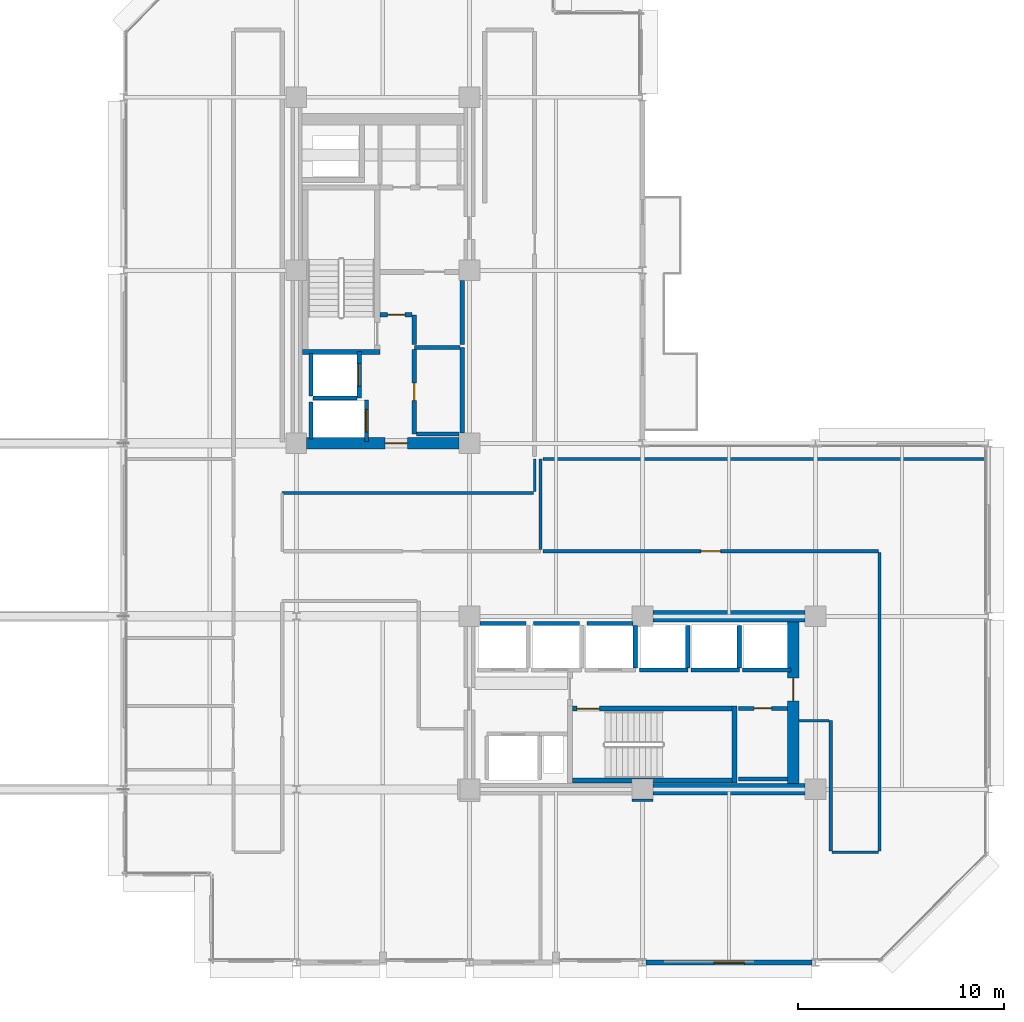
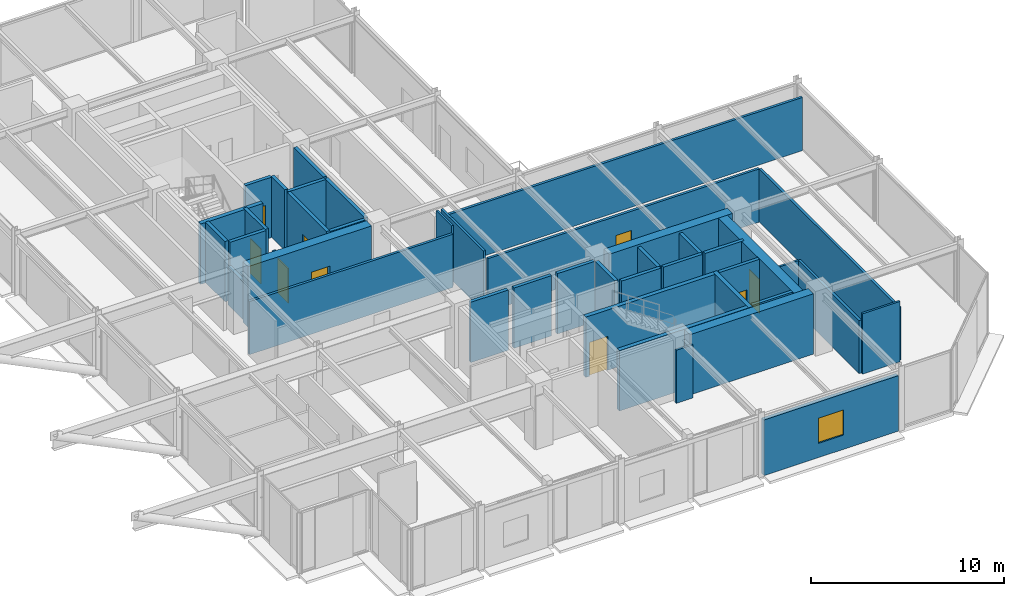
# One storey, part 26 of 30: 42 walls, 9 doors, 1 window, 10 openings.
"""IFC4 building model written with IfcOpenShell, lengths in metres."""

from ifc_helpers import new_model, si_unit, direction, frame, frame_2d, origin, place, context, subcontext, project, spatial, rectangle, extrude, material, layer, layer_set, type_object, element, fill, save


model = new_model("IFC4")

# Units and contexts
model_context = context("Model", 3, precision=1e-05, world=origin(), true_north=direction((0.0, 1.0)))
body_context = subcontext(model_context, "Body", "Model", "MODEL_VIEW")
ifc_project = project(units=[si_unit("LENGTHUNIT", "METRE"), si_unit("AREAUNIT", "SQUARE_METRE"), si_unit("VOLUMEUNIT", "CUBIC_METRE"), si_unit("PLANEANGLEUNIT", "RADIAN"), si_unit("MASSUNIT", "GRAM", prefix="KILO")], contexts=[model_context])

# Site, building, storey
site_placement = place(None, origin())
site = spatial("IfcSite", under=ifc_project, at=site_placement, CompositionType="ELEMENT")
building_placement = place(site_placement, origin())
building = spatial("IfcBuilding", under=site, at=building_placement, Name="Nerrivon Quay Data Exchange", CompositionType="ELEMENT")
storey_placement = place(building_placement, frame((0.0, 0.0, 167.300048828125)))
storey = spatial("IfcBuildingStorey", under=building, at=storey_placement, Name="L39", CompositionType="ELEMENT", Elevation=167.300048828125)

# Wall, opening, window
ifc_material_1 = material(Name="Architectural terracotta precast concrete N50 (50 MPa)", Category="masonry")
ifc_layer_1 = layer(ifc_material_1, 0.239990234375)
ifc_layer_set_1 = layer_set([ifc_layer_1], Name="Architectural terracotta precast concrete N50 (50 MPa)")
wall_type_1 = type_object("IfcWallType", Name="EW-PREC-240", PredefinedType="STANDARD", material=ifc_layer_set_1)
wall_1_placement = place(storey_placement, frame((33.425048828125, 0.0, 0.0), z_axis=(0.0, 0.0, 1.0), x_axis=(-1.0, 0.0, 0.0)))
wall_1 = element("IfcWall", 1, at=wall_1_placement, inside=storey, type_object=wall_type_1, Name="L39 Podium Precast Spandrel Wall 3", PredefinedType="STANDARD", context=body_context, shape_type="SweptSolid", body=[
    extrude(rectangle(XDim=8.050048828125, YDim=0.239990234375, at=frame_2d((4.02490234375, 0.0))), origin(), (0.0, 0.0, 1.0), 3.52490234375),
])
opening_1_placement = place(wall_1_placement, frame((3.27490234375, 0.0, 0.89990234375)))
opening_1 = element("IfcOpeningElement", 2, at=opening_1_placement, cuts=wall_1, Name="Opening WN4", PredefinedType="OPENING", context=body_context, shape_type="SweptSolid", body=[
    extrude(rectangle(XDim=1.5, YDim=1.60009765625, at=frame_2d((0.75, 0.800048828125))), frame((0.0, 0.1298828125, 0.0), z_axis=(0.0, -1.0, 0.0), x_axis=(1.0, 0.0, 0.0)), (0.0, 0.0, 1.0), 0.260009765625),
])
ifc_material_2 = material(Name="Double-glazed low-E solar control glass", Category="glass")
window_type = type_object("IfcWindowType", Name="WIN-W4-1500x1600", PartitioningType="SINGLE_PANEL", PredefinedType="WINDOW", material=ifc_material_2)
window_placement = place(opening_1_placement, origin())
window = element("IfcWindow", 3, at=window_placement, inside=storey, type_object=window_type, Name="L39 Solar Facade Window 3", OverallHeight=1.60009765625, OverallWidth=1.5, PartitioningType="SINGLE_PANEL", PredefinedType="WINDOW", context=body_context, shape_type="SweptSolid", body=[
    extrude(rectangle(XDim=1.5, YDim=1.60009765625, at=frame_2d((0.75, 0.800048828125))), frame((0.0, 0.030029296875, 0.0), z_axis=(0.0, -1.0, 0.0), x_axis=(1.0, 0.0, 0.0)), (0.0, 0.0, 1.0), 0.06005859375),
])
fill(opening_1, window)

# Wall, opening, door
ifc_material_3 = material(Name="Concrete S65 (65 MPa)", Category="concrete")
ifc_layer_2 = layer(ifc_material_3, 0.550048828125)
ifc_layer_set_2 = layer_set([ifc_layer_2], Name="Concrete S65 (65 MPa)")
wall_type_2 = type_object("IfcWallType", Name="WALL-CW-700", PredefinedType="SHEAR", material=ifc_layer_set_2)
wall_2_placement = place(storey_placement, frame((8.89990234375, 25.199951171875, 0.0), z_axis=(0.0, 0.0, 1.0), x_axis=(1.0, 0.0, 0.0)))
wall_2 = element("IfcWall", 4, at=wall_2_placement, inside=storey, type_object=wall_type_2, Name="L39 West Split-Core Shear Wall WCW-S1", PredefinedType="SHEAR", context=body_context, shape_type="SweptSolid", body=[
    extrude(rectangle(XDim=7.400146484375, YDim=0.550048828125, at=frame_2d((3.7001953125, 0.0))), origin(), (0.0, 0.0, 1.0), 3.824951171875),
])
opening_2_placement = place(wall_2_placement, frame((3.800048828125, 0.0, 0.0)))
opening_2 = element("IfcOpeningElement", 5, at=opening_2_placement, cuts=wall_2, Name="Opening FD-120", PredefinedType="OPENING", context=body_context, shape_type="SweptSolid", body=[
    extrude(rectangle(XDim=1.10009765625, YDim=2.14990234375, at=frame_2d((0.550048828125, 1.074951171875))), frame((0.0, 0.284912109375, 0.0), z_axis=(0.0, -1.0, 0.0), x_axis=(1.0, 0.0, 0.0)), (0.0, 0.0, 1.0), 0.570068359375),
])
ifc_material_4 = material(Name="Powder-coated galvanized steel sheet", Category="steel")
door_type_1 = type_object("IfcDoorType", Name="DR-FD120-1100", OperationType="NOTDEFINED", PredefinedType="DOOR", material=ifc_material_4)
door_1_placement = place(opening_2_placement, origin())
door_1 = element("IfcDoor", 6, at=door_1_placement, inside=storey, type_object=door_type_1, Name="L39 West Core Lobby Fire Door", OperationType="SINGLE_SWING_LEFT", OverallHeight=2.14990234375, OverallWidth=1.10009765625, PredefinedType="DOOR", context=body_context, shape_type="SweptSolid", body=[
    extrude(rectangle(XDim=1.10009765625, YDim=2.14990234375, at=frame_2d((0.550048828125, 1.074951171875))), frame((0.0, 0.02490234375, 0.0), z_axis=(0.0, -1.0, 0.0), x_axis=(1.0, 0.0, 0.0)), (0.0, 0.0, 1.0), 0.050048828125),
])
fill(opening_2, door_1)

# Wall
wall_3_placement = place(storey_placement, frame((25.699951171875, 8.39990234375, 0.0), z_axis=(0.0, 0.0, 1.0), x_axis=(1.0, 0.0, 0.0)))
element("IfcWall", 7, at=wall_3_placement, inside=storey, type_object=wall_type_2, Name="L39 East Split-Core Shear Wall ECW-S2", PredefinedType="SHEAR", context=body_context, shape_type="SweptSolid", body=[
    extrude(rectangle(XDim=7.400146484375, YDim=0.550048828125, at=frame_2d((3.7001953125, 0.0))), origin(), (0.0, 0.0, 1.0), 3.824951171875),
])

# Wall, opening, door
wall_4_placement = place(storey_placement, frame((32.52490234375, 8.675048828125, 0.0), z_axis=(0.0, 0.0, 1.0), x_axis=(0.0, 1.0, 0.0)))
wall_4 = element("IfcWall", 8, at=wall_4_placement, inside=storey, type_object=wall_type_2, Name="L39 East Split-Core Shear Wall ECW-E1", PredefinedType="SHEAR", context=body_context, shape_type="SweptSolid", body=[
    extrude(rectangle(XDim=7.849853515625, YDim=0.550048828125, at=frame_2d((3.9248046875, 0.0))), origin(), (0.0, 0.0, 1.0), 3.824951171875),
])
opening_3_placement = place(wall_4_placement, frame((4.02490234375, 0.0, 0.0)))
opening_3 = element("IfcOpeningElement", 9, at=opening_3_placement, cuts=wall_4, Name="Opening FD-120", PredefinedType="OPENING", context=body_context, shape_type="SweptSolid", body=[
    extrude(rectangle(XDim=1.10009765625, YDim=2.14990234375, at=frame_2d((0.550048828125, 1.074951171875))), frame((0.0, 0.284912109375, 0.0), z_axis=(0.0, -1.0, 0.0), x_axis=(1.0, 0.0, 0.0)), (0.0, 0.0, 1.0), 0.570068359375),
])
door_2_placement = place(opening_3_placement, origin())
door_2 = element("IfcDoor", 10, at=door_2_placement, inside=storey, type_object=door_type_1, Name="L39 East Core Lobby Fire Door", OperationType="SINGLE_SWING_RIGHT", OverallHeight=2.14990234375, OverallWidth=1.10009765625, PredefinedType="DOOR", context=body_context, shape_type="SweptSolid", body=[
    extrude(rectangle(XDim=1.10009765625, YDim=2.14990234375, at=frame_2d((0.550048828125, 1.074951171875))), frame((0.0, 0.02490234375, 0.0), z_axis=(0.0, -1.0, 0.0), x_axis=(1.0, 0.0, 0.0)), (0.0, 0.0, 1.0), 0.050048828125),
])
fill(opening_3, door_2)

# Wall
wall_5_placement = place(storey_placement, frame((25.699951171875, 16.800048828125, 0.0), z_axis=(0.0, 0.0, 1.0), x_axis=(1.0, 0.0, 0.0)))
element("IfcWall", 11, at=wall_5_placement, inside=storey, type_object=wall_type_2, Name="L39 East Split-Core Shear Wall ECW-N1", PredefinedType="SHEAR", context=body_context, shape_type="SweptSolid", body=[
    extrude(rectangle(XDim=7.400146484375, YDim=0.550048828125, at=frame_2d((3.7001953125, 0.0))), origin(), (0.0, 0.0, 1.0), 3.824951171875),
])

# Wall, opening, door
ifc_material_5 = material(Name="Gypsum plasterboard on cold-formed framing", Category="gypsum")
ifc_layer_3 = layer(ifc_material_5, 0.199951171875)
ifc_layer_set_3 = layer_set([ifc_layer_3], Name="Gypsum plasterboard on cold-formed framing")
wall_type_3 = type_object("IfcWallType", Name="WALL-FW-200", PredefinedType="PARTITIONING", material=ifc_layer_set_3)
wall_6_placement = place(storey_placement, frame((11.449951171875, 27.39990234375, 0.0), z_axis=(0.0, 0.0, 1.0), x_axis=(0.0, 1.0, 0.0)))
wall_6 = element("IfcWall", 12, at=wall_6_placement, inside=storey, type_object=wall_type_3, Name="L39 Lift Front Wall FFL-1", PredefinedType="PARTITIONING", context=body_context, shape_type="SweptSolid", body=[
    extrude(rectangle(XDim=2.25, YDim=0.199951171875, at=frame_2d((1.125, 0.0))), origin(), (0.0, 0.0, 1.0), 3.824951171875),
])
opening_4_placement = place(wall_6_placement, frame((0.574951171875, 0.0, 0.0)))
opening_4 = element("IfcOpeningElement", 13, at=opening_4_placement, cuts=wall_6, Name="Opening LD-120", PredefinedType="OPENING", context=body_context, shape_type="SweptSolid", body=[
    extrude(rectangle(XDim=1.10009765625, YDim=2.199951171875, at=frame_2d((0.550048828125, 1.10009765625))), frame((0.0, 0.10986328125, 0.0), z_axis=(0.0, -1.0, 0.0), x_axis=(1.0, 0.0, 0.0)), (0.0, 0.0, 1.0), 0.219970703125),
])
door_type_2 = type_object("IfcDoorType", Name="DR-LIFT-LD120", OperationType="DOUBLE_DOOR_SLIDING", PredefinedType="DOOR", material=ifc_material_4)
door_3_placement = place(opening_4_placement, origin())
door_3 = element("IfcDoor", 14, at=door_3_placement, inside=storey, type_object=door_type_2, Name="L39 Lift Landing Sliding Door FFL-1", OperationType="DOUBLE_DOOR_SLIDING", OverallHeight=2.199951171875, OverallWidth=1.10009765625, PredefinedType="DOOR", context=body_context, shape_type="SweptSolid", body=[
    extrude(rectangle(XDim=1.10009765625, YDim=2.199951171875, at=frame_2d((0.550048828125, 1.10009765625))), frame((0.0, 0.02490234375, 0.0), z_axis=(0.0, -1.0, 0.0), x_axis=(1.0, 0.0, 0.0)), (0.0, 0.0, 1.0), 0.050048828125),
])
fill(opening_4, door_3)

# Walls
wall_7_placement = place(storey_placement, frame((9.10009765625, 27.5, 0.0), z_axis=(0.0, 0.0, 1.0), x_axis=(0.0, 1.0, 0.0)))
element("IfcWall", 15, at=wall_7_placement, inside=storey, type_object=wall_type_3, Name="L39 Lift Shaft Wall FFL-1 WEST", PredefinedType="PARTITIONING", context=body_context, shape_type="SweptSolid", body=[
    extrude(rectangle(XDim=2.050048828125, YDim=0.199951171875, at=frame_2d((1.02490234375, 0.0))), origin(), (0.0, 0.0, 1.0), 3.824951171875),
])
wall_8_placement = place(storey_placement, frame((9.199951171875, 27.39990234375, 0.0), z_axis=(0.0, 0.0, 1.0), x_axis=(1.0, 0.0, 0.0)))
element("IfcWall", 16, at=wall_8_placement, inside=storey, type_object=wall_type_3, Name="L39 Lift Shaft Wall FFL-1 SOUTH", PredefinedType="PARTITIONING", context=body_context, shape_type="SweptSolid", body=[
    extrude(rectangle(XDim=2.150146484375, YDim=0.199951171875, at=frame_2d((1.0751953125, 0.0))), origin(), (0.0, 0.0, 1.0), 3.824951171875),
])

# Wall, opening, door
wall_9_placement = place(storey_placement, frame((11.800048828125, 25.300048828125, 0.0), z_axis=(0.0, 0.0, 1.0), x_axis=(0.0, 1.0, 0.0)))
wall_9 = element("IfcWall", 17, at=wall_9_placement, inside=storey, type_object=wall_type_3, Name="L39 Lift Front Wall SVL-1", PredefinedType="PARTITIONING", context=body_context, shape_type="SweptSolid", body=[
    extrude(rectangle(XDim=2.0, YDim=0.199951171875, at=frame_2d((1.0, 0.0))), origin(), (0.0, 0.0, 1.0), 2.425048828125),
])
opening_5_placement = place(wall_9_placement, frame((0.449951171875, 0.0, 0.0)))
opening_5 = element("IfcOpeningElement", 18, at=opening_5_placement, cuts=wall_9, Name="Opening LD-120", PredefinedType="OPENING", context=body_context, shape_type="SweptSolid", body=[
    extrude(rectangle(XDim=1.10009765625, YDim=2.199951171875, at=frame_2d((0.550048828125, 1.10009765625))), frame((0.0, 0.10986328125, 0.0), z_axis=(0.0, -1.0, 0.0), x_axis=(1.0, 0.0, 0.0)), (0.0, 0.0, 1.0), 0.219970703125),
])
door_4_placement = place(opening_5_placement, origin())
door_4 = element("IfcDoor", 19, at=door_4_placement, inside=storey, type_object=door_type_2, Name="L39 Lift Landing Sliding Door SVL-1", OperationType="DOUBLE_DOOR_SLIDING", OverallHeight=2.199951171875, OverallWidth=1.10009765625, PredefinedType="DOOR", context=body_context, shape_type="SweptSolid", body=[
    extrude(rectangle(XDim=1.10009765625, YDim=2.199951171875, at=frame_2d((0.550048828125, 1.10009765625))), frame((0.0, 0.02490234375, 0.0), z_axis=(0.0, -1.0, 0.0), x_axis=(1.0, 0.0, 0.0)), (0.0, 0.0, 1.0), 0.050048828125),
])
fill(opening_5, door_4)

# Walls
wall_10_placement = place(storey_placement, frame((9.10009765625, 25.39990234375, 0.0), z_axis=(0.0, 0.0, 1.0), x_axis=(0.0, 1.0, 0.0)))
element("IfcWall", 20, at=wall_10_placement, inside=storey, type_object=wall_type_3, Name="L39 Lift Shaft Wall SVL-1 WEST", PredefinedType="PARTITIONING", context=body_context, shape_type="SweptSolid", body=[
    extrude(rectangle(XDim=1.800048828125, YDim=0.199951171875, at=frame_2d((0.89990234375, 0.0))), origin(), (0.0, 0.0, 1.0), 2.425048828125),
])
for number, where, z_axis, x_axis, name in (
    (21, (17.300048828125, 16.449951171875, 0.0), (0.0, 0.0, 1.0), (1.0, 0.0, 0.0), "L39 Lift Shaft Wall PL4 NORTH"),
    (22, (19.89990234375, 16.449951171875, 0.0), (0.0, 0.0, 1.0), (1.0, 0.0, 0.0), "L39 Lift Shaft Wall PL5 NORTH"),
):
    element("IfcWall", number, at=place(storey_placement, frame(where, z_axis=z_axis, x_axis=x_axis)), inside=storey, type_object=wall_type_3, Name=name, PredefinedType="PARTITIONING", context=body_context, shape_type="SweptSolid", body=[
        extrude(rectangle(XDim=2.25, YDim=0.199951171875, at=frame_2d((1.125, 0.0))), origin(), (0.0, 0.0, 1.0), 3.824951171875),
    ])
wall_11_placement = place(storey_placement, frame((24.85009765625, 14.300048828125, 0.0), z_axis=(0.0, 0.0, 1.0), x_axis=(0.0, 1.0, 0.0)))
element("IfcWall", 23, at=wall_11_placement, inside=storey, type_object=wall_type_3, Name="L39 Lift Shaft Wall PL6 EAST", PredefinedType="PARTITIONING", context=body_context, shape_type="SweptSolid", body=[
    extrude(rectangle(XDim=2.050048828125, YDim=0.199951171875, at=frame_2d((1.02490234375, 0.0))), origin(), (0.0, 0.0, 1.0), 3.824951171875),
])
wall_12_placement = place(storey_placement, frame((22.5, 16.449951171875, 0.0), z_axis=(0.0, 0.0, 1.0), x_axis=(1.0, 0.0, 0.0)))
element("IfcWall", 24, at=wall_12_placement, inside=storey, type_object=wall_type_3, Name="L39 Lift Shaft Wall PL6 NORTH", PredefinedType="PARTITIONING", context=body_context, shape_type="SweptSolid", body=[
    extrude(rectangle(XDim=2.25, YDim=0.199951171875, at=frame_2d((1.125, 0.0))), origin(), (0.0, 0.0, 1.0), 3.824951171875),
])
wall_13_placement = place(storey_placement, frame((25.050048828125, 14.199951171875, 0.0), z_axis=(0.0, 0.0, 1.0), x_axis=(1.0, 0.0, 0.0)))
element("IfcWall", 25, at=wall_13_placement, inside=storey, type_object=wall_type_3, Name="L39 Lift Front Wall PL7", PredefinedType="PARTITIONING", context=body_context, shape_type="SweptSolid", body=[
    extrude(rectangle(XDim=2.349853515625, YDim=0.199951171875, at=frame_2d((1.1748046875, 0.0))), origin(), (0.0, 0.0, 1.0), 3.824951171875),
])
wall_14_placement = place(storey_placement, frame((27.39990234375, 14.300048828125, 0.0), z_axis=(0.0, 0.0, 1.0), x_axis=(0.0, 1.0, 0.0)))
element("IfcWall", 26, at=wall_14_placement, inside=storey, type_object=wall_type_3, Name="L39 Lift Shaft Wall PL7 EAST", PredefinedType="PARTITIONING", context=body_context, shape_type="SweptSolid", body=[
    extrude(rectangle(XDim=2.050048828125, YDim=0.199951171875, at=frame_2d((1.02490234375, 0.0))), origin(), (0.0, 0.0, 1.0), 3.824951171875),
])
wall_15_placement = place(storey_placement, frame((27.550048828125, 14.199951171875, 0.0), z_axis=(0.0, 0.0, 1.0), x_axis=(1.0, 0.0, 0.0)))
element("IfcWall", 27, at=wall_15_placement, inside=storey, type_object=wall_type_3, Name="L39 Lift Front Wall PL8", PredefinedType="PARTITIONING", context=body_context, shape_type="SweptSolid", body=[
    extrude(rectangle(XDim=2.349853515625, YDim=0.199951171875, at=frame_2d((1.1748046875, 0.0))), origin(), (0.0, 0.0, 1.0), 3.824951171875),
])
wall_16_placement = place(storey_placement, frame((29.89990234375, 14.300048828125, 0.0), z_axis=(0.0, 0.0, 1.0), x_axis=(0.0, 1.0, 0.0)))
element("IfcWall", 28, at=wall_16_placement, inside=storey, type_object=wall_type_3, Name="L39 Lift Shaft Wall PL8 EAST", PredefinedType="PARTITIONING", context=body_context, shape_type="SweptSolid", body=[
    extrude(rectangle(XDim=2.050048828125, YDim=0.199951171875, at=frame_2d((1.02490234375, 0.0))), origin(), (0.0, 0.0, 1.0), 3.824951171875),
])
wall_17_placement = place(storey_placement, frame((30.050048828125, 14.199951171875, 0.0), z_axis=(0.0, 0.0, 1.0), x_axis=(1.0, 0.0, 0.0)))
element("IfcWall", 29, at=wall_17_placement, inside=storey, type_object=wall_type_3, Name="L39 Lift Front Wall PL9", PredefinedType="PARTITIONING", context=body_context, shape_type="SweptSolid", body=[
    extrude(rectangle(XDim=2.349853515625, YDim=0.199951171875, at=frame_2d((1.1748046875, 0.0))), origin(), (0.0, 0.0, 1.0), 3.824951171875),
])
wall_18_placement = place(storey_placement, frame((16.449951171875, 25.705078125, 0.0), z_axis=(0.0, 0.0, 1.0), x_axis=(0.0, 1.0, 0.0)))
element("IfcWall", 30, at=wall_18_placement, inside=storey, type_object=wall_type_3, Name="L39 Partition Telemetry Hub Closet", PredefinedType="PARTITIONING", context=body_context, shape_type="SweptSolid", body=[
    extrude(rectangle(XDim=4.14501953125, YDim=0.199951171875, at=frame_2d((2.072509765625, 0.0))), origin(), (0.0, 0.0, 1.0), 3.824951171875),
])
wall_19_placement = place(storey_placement, frame((16.345947265625, 29.85009765625, 0.0), z_axis=(0.0, 0.0, 1.0), x_axis=(-1.0, 0.0, 0.0)))
element("IfcWall", 31, at=wall_19_placement, inside=storey, type_object=wall_type_3, Name="L39 Partition Telemetry Hub Closet", PredefinedType="PARTITIONING", context=body_context, shape_type="SweptSolid", body=[
    extrude(rectangle(XDim=2.225830078125, YDim=0.199951171875, at=frame_2d((1.11279296875, 0.0))), origin(), (0.0, 0.0, 1.0), 3.824951171875),
])

# Wall, opening, door
wall_20_placement = place(storey_placement, frame((14.1201171875, 29.74609375, 0.0), z_axis=(0.0, 0.0, 1.0), x_axis=(0.0, -1.0, 0.0)))
wall_20 = element("IfcWall", 32, at=wall_20_placement, inside=storey, type_object=wall_type_3, Name="L39 Partition Telemetry Hub Closet", PredefinedType="PARTITIONING", context=body_context, shape_type="SweptSolid", body=[
    extrude(rectangle(XDim=4.09619140625, YDim=0.199951171875, at=frame_2d((2.048095703125, 0.0))), origin(), (0.0, 0.0, 1.0), 3.824951171875),
])
opening_6_placement = place(wall_20_placement, frame((1.623046875, 0.0, 0.0)))
opening_6 = element("IfcOpeningElement", 33, at=opening_6_placement, cuts=wall_20, Name="Opening FD-60S", PredefinedType="OPENING", context=body_context, shape_type="SweptSolid", body=[
    extrude(rectangle(XDim=0.85009765625, YDim=2.14990234375, at=frame_2d((0.425048828125, 1.074951171875))), frame((0.0, 0.10986328125, 0.0), z_axis=(0.0, -1.0, 0.0), x_axis=(1.0, 0.0, 0.0)), (0.0, 0.0, 1.0), 0.219970703125),
])
ifc_material_6 = material(Name="Engineered hardwood timber", Category="wood")
door_type_3 = type_object("IfcDoorType", Name="DR-FD60-850", OperationType="NOTDEFINED", PredefinedType="DOOR", material=ifc_material_6)
door_5_placement = place(opening_6_placement, origin())
door_5 = element("IfcDoor", 34, at=door_5_placement, inside=storey, type_object=door_type_3, Name="L39 Door Telemetry Hub Closet", OperationType="SINGLE_SWING_RIGHT", OverallHeight=2.14990234375, OverallWidth=0.85009765625, PredefinedType="DOOR", context=body_context, shape_type="SweptSolid", body=[
    extrude(rectangle(XDim=0.85009765625, YDim=2.14990234375, at=frame_2d((0.425048828125, 1.074951171875))), frame((0.0, 0.02490234375, 0.0), z_axis=(0.0, -1.0, 0.0), x_axis=(1.0, 0.0, 0.0)), (0.0, 0.0, 1.0), 0.050048828125),
])
fill(opening_6, door_5)

# Walls
wall_21_placement = place(storey_placement, frame((14.22412109375, 25.64990234375, 0.0), z_axis=(0.0, 0.0, 1.0), x_axis=(1.0, 0.0, 0.0)))
element("IfcWall", 35, at=wall_21_placement, inside=storey, type_object=wall_type_3, Name="L39 Partition Telemetry Hub Closet", PredefinedType="PARTITIONING", context=body_context, shape_type="SweptSolid", body=[
    extrude(rectangle(XDim=2.07080078125, YDim=0.199951171875, at=frame_2d((1.035400390625, 0.0))), origin(), (0.0, 0.0, 1.0), 3.824951171875),
])
wall_22_placement = place(storey_placement, frame((14.1201171875, 31.43994140625, 0.0), z_axis=(0.0, 0.0, 1.0), x_axis=(0.0, -1.0, 0.0)))
element("IfcWall", 36, at=wall_22_placement, inside=storey, type_object=wall_type_3, Name="L39 Partition Core Equipment Store", PredefinedType="PARTITIONING", context=body_context, shape_type="SweptSolid", body=[
    extrude(rectangle(XDim=1.43994140625, YDim=0.199951171875, at=frame_2d((0.719970703125, 0.0))), origin(), (0.0, 0.0, 1.0), 3.824951171875),
])
wall_23_placement = place(storey_placement, frame((16.449951171875, 30.0, 0.0), z_axis=(0.0, 0.0, 1.0), x_axis=(0.0, 1.0, 0.0)))
element("IfcWall", 37, at=wall_23_placement, inside=storey, type_object=wall_type_3, Name="L39 Partition Core Equipment Store", PredefinedType="PARTITIONING", context=body_context, shape_type="SweptSolid", body=[
    extrude(rectangle(XDim=3.094970703125, YDim=0.199951171875, at=frame_2d((1.54736328125, 0.0))), origin(), (0.0, 0.0, 1.0), 3.824951171875),
])

# Wall, opening, door
wall_24_placement = place(storey_placement, frame((12.4541015625, 31.43994140625, 0.0), z_axis=(0.0, 0.0, 1.0), x_axis=(1.0, 0.0, 0.0)))
wall_24 = element("IfcWall", 38, at=wall_24_placement, inside=storey, type_object=wall_type_3, Name="L39 Partition Core Equipment Store", PredefinedType="PARTITIONING", context=body_context, shape_type="SweptSolid", body=[
    extrude(rectangle(XDim=1.56201171875, YDim=0.199951171875, at=frame_2d((0.781005859375, 0.0))), origin(), (0.0, 0.0, 1.0), 3.824951171875),
])
opening_7_placement = place(wall_24_placement, frame((0.35595703125, 0.0, 0.0)))
opening_7 = element("IfcOpeningElement", 39, at=opening_7_placement, cuts=wall_24, Name="Opening FD-60S", PredefinedType="OPENING", context=body_context, shape_type="SweptSolid", body=[
    extrude(rectangle(XDim=0.85009765625, YDim=2.14990234375, at=frame_2d((0.425048828125, 1.074951171875))), frame((0.0, 0.10986328125, 0.0), z_axis=(0.0, -1.0, 0.0), x_axis=(1.0, 0.0, 0.0)), (0.0, 0.0, 1.0), 0.219970703125),
])
door_6_placement = place(opening_7_placement, origin())
door_6 = element("IfcDoor", 40, at=door_6_placement, inside=storey, type_object=door_type_3, Name="L39 Door Core Equipment Store", OperationType="SINGLE_SWING_LEFT", OverallHeight=2.14990234375, OverallWidth=0.85009765625, PredefinedType="DOOR", context=body_context, shape_type="SweptSolid", body=[
    extrude(rectangle(XDim=0.85009765625, YDim=2.14990234375, at=frame_2d((0.425048828125, 1.074951171875))), frame((0.0, 0.02490234375, 0.0), z_axis=(0.0, -1.0, 0.0), x_axis=(1.0, 0.0, 0.0)), (0.0, 0.0, 1.0), 0.050048828125),
])
fill(opening_7, door_6)

wall_25_placement = place(storey_placement, frame((32.24609375, 12.330078125, 0.0), z_axis=(0.0, 0.0, 1.0), x_axis=(-1.0, 0.0, 0.0)))
wall_25 = element("IfcWall", 41, at=wall_25_placement, inside=storey, type_object=wall_type_3, Name="L39 Partition East Supply Store", PredefinedType="PARTITIONING", context=body_context, shape_type="SweptSolid", body=[
    extrude(rectangle(XDim=2.39599609375, YDim=0.199951171875, at=frame_2d((1.197998046875, 0.0))), origin(), (0.0, 0.0, 1.0), 3.824951171875),
])
opening_8_placement = place(wall_25_placement, frame((0.77294921875, 0.0, 0.0)))
opening_8 = element("IfcOpeningElement", 42, at=opening_8_placement, cuts=wall_25, Name="Opening FD-60S", PredefinedType="OPENING", context=body_context, shape_type="SweptSolid", body=[
    extrude(rectangle(XDim=0.85009765625, YDim=2.14990234375, at=frame_2d((0.425048828125, 1.074951171875))), frame((0.0, 0.10986328125, 0.0), z_axis=(0.0, -1.0, 0.0), x_axis=(1.0, 0.0, 0.0)), (0.0, 0.0, 1.0), 0.219970703125),
])
door_7_placement = place(opening_8_placement, origin())
door_7 = element("IfcDoor", 43, at=door_7_placement, inside=storey, type_object=door_type_3, Name="L39 Door East Supply Store", OperationType="SINGLE_SWING_RIGHT", OverallHeight=2.14990234375, OverallWidth=0.85009765625, PredefinedType="DOOR", context=body_context, shape_type="SweptSolid", body=[
    extrude(rectangle(XDim=0.85009765625, YDim=2.14990234375, at=frame_2d((0.425048828125, 1.074951171875))), frame((0.0, 0.02490234375, 0.0), z_axis=(0.0, -1.0, 0.0), x_axis=(1.0, 0.0, 0.0)), (0.0, 0.0, 1.0), 0.050048828125),
])
fill(opening_8, door_7)

# Walls
wall_26_placement = place(storey_placement, frame((29.85009765625, 8.89990234375, 0.0), z_axis=(0.0, 0.0, 1.0), x_axis=(1.0, 0.0, 0.0)))
element("IfcWall", 44, at=wall_26_placement, inside=storey, type_object=wall_type_3, Name="L39 Partition East Supply Store", PredefinedType="PARTITIONING", context=body_context, shape_type="SweptSolid", body=[
    extrude(rectangle(XDim=2.39599609375, YDim=0.199951171875, at=frame_2d((1.197998046875, 0.0))), origin(), (0.0, 0.0, 1.0), 3.824951171875),
])
ifc_layer_4 = layer(ifc_material_5, 0.1201171875)
ifc_layer_set_4 = layer_set([ifc_layer_4], Name="Gypsum plasterboard on cold-formed framing")
wall_type_4 = type_object("IfcWallType", Name="WALL-PT-120", PredefinedType="PARTITIONING", material=ifc_layer_set_4)
wall_27_placement = place(storey_placement, frame((19.9599609375, 24.441650390625, 0.0), z_axis=(0.0, 0.0, 1.0), x_axis=(0.0, -1.0, 0.0)))
element("IfcWall", 45, at=wall_27_placement, inside=storey, type_object=wall_type_4, Name="L39 Partition Staff Pantry", PredefinedType="PARTITIONING", context=body_context, shape_type="SweptSolid", body=[
    extrude(rectangle(XDim=1.591552734375, YDim=0.1201171875, at=frame_2d((0.7958984375, 0.0))), origin(), (0.0, 0.0, 1.0), 3.824951171875),
])
wall_28_placement = place(storey_placement, frame((25.703857421875, 7.88037109375, 0.0), z_axis=(0.0, 0.0, 1.0), x_axis=(-0.999999881717, -0.000486381265, 0.0)))
element("IfcWall", 46, at=wall_28_placement, inside=storey, type_object=wall_type_4, Name="L39 Partition Technical Library", PredefinedType="PARTITIONING", context=body_context, shape_type="SweptSolid", body=[
    extrude(rectangle(XDim=1.00390625, YDim=0.1201171875, at=frame_2d((0.501953125, 0.0))), origin(), (0.0, 0.0, 1.0), 3.370849609375),
])
wall_29_placement = place(storey_placement, frame((36.64990234375, 5.340087890625, 0.0), z_axis=(0.0, 0.0, 1.0), x_axis=(-1.0, 0.0, 0.0)))
element("IfcWall", 47, at=wall_29_placement, inside=storey, type_object=wall_type_4, Name="L39 Partition Technical Library", PredefinedType="PARTITIONING", context=body_context, shape_type="SweptSolid", body=[
    extrude(rectangle(XDim=2.25, YDim=0.1201171875, at=frame_2d((1.125, 0.0))), origin(), (0.0, 0.0, 1.0), 3.824951171875),
])
wall_30_placement = place(storey_placement, frame((34.260986328125, 11.739990234375, 0.0), z_axis=(0.0, 0.0, 1.0), x_axis=(-1.0, 0.0, 0.0)))
element("IfcWall", 48, at=wall_30_placement, inside=storey, type_object=wall_type_4, Name="L39 Partition Technical Library", PredefinedType="PARTITIONING", context=body_context, shape_type="SweptSolid", body=[
    extrude(rectangle(XDim=1.45703125, YDim=0.1201171875, at=frame_2d((0.728515625, 0.0))), origin(), (0.0, 0.0, 1.0), 3.370849609375),
])
ifc_layer_5 = layer(ifc_material_5, 0.135009765625)
ifc_layer_set_5 = layer_set([ifc_layer_5], Name="Gypsum plasterboard on cold-formed framing")
wall_type_5 = type_object("IfcWallType", Name="WALL-PT-135", PredefinedType="PARTITIONING", material=ifc_layer_set_5)
wall_31_placement = place(storey_placement, frame((20.25439453125, 20.0390625, 0.0), z_axis=(0.0, 0.0, 1.0), x_axis=(0.0, 1.0, 0.0)))
element("IfcWall", 49, at=wall_31_placement, inside=storey, type_object=wall_type_5, Name="L39 Partition Staff Pantry", PredefinedType="PARTITIONING", context=body_context, shape_type="SweptSolid", body=[
    extrude(rectangle(XDim=4.402587890625, YDim=0.135009765625, at=frame_2d((2.201171875, 0.0))), origin(), (0.0, 0.0, 1.0), 3.824951171875),
])
ifc_layer_6 = layer(ifc_material_5, 0.14990234375)
ifc_layer_set_6 = layer_set([ifc_layer_6], Name="Gypsum plasterboard on cold-formed framing")
wall_type_6 = type_object("IfcWallType", Name="WALL-PT-150", PredefinedType="PARTITIONING", material=ifc_layer_set_6)
wall_32_placement = place(storey_placement, frame((19.906005859375, 22.790283203125, 0.0), z_axis=(0.0, 0.0, 1.0), x_axis=(-0.9999999998, -2.0018016e-05, 0.0)))
element("IfcWall", 50, at=wall_32_placement, inside=storey, type_object=wall_type_6, Name="L39 Partition Staff Pantry", PredefinedType="PARTITIONING", context=body_context, shape_type="SweptSolid", body=[
    extrude(rectangle(XDim=12.196044921875, YDim=0.14990234375, at=frame_2d((6.09814453125, 0.0))), origin(), (0.0, 0.0, 1.0), 3.370849609375),
])
wall_33_placement = place(storey_placement, frame((41.8310546875, 24.441650390625, 0.0), z_axis=(0.0, 0.0, 1.0), x_axis=(-1.0, 0.0, 0.0)))
element("IfcWall", 51, at=wall_33_placement, inside=storey, type_object=wall_type_6, Name="L39 Partition Technical Library", PredefinedType="PARTITIONING", context=body_context, shape_type="SweptSolid", body=[
    extrude(rectangle(XDim=21.45654296875, YDim=0.14990234375, at=frame_2d((10.728271484375, 0.0))), origin(), (0.0, 0.0, 1.0), 3.370849609375),
])

# Wall, opening, door
wall_34_placement = place(storey_placement, frame((20.37451171875, 19.9599609375, 0.0), z_axis=(0.0, 0.0, 1.0), x_axis=(1.0, 0.0, 0.0)))
wall_34 = element("IfcWall", 52, at=wall_34_placement, inside=storey, type_object=wall_type_6, Name="L39 Partition Technical Library", PredefinedType="PARTITIONING", context=body_context, shape_type="SweptSolid", body=[
    extrude(rectangle(XDim=16.275390625, YDim=0.14990234375, at=frame_2d((8.1376953125, 0.0))), origin(), (0.0, 0.0, 1.0), 3.370849609375),
])
opening_9_placement = place(wall_34_placement, frame((7.662841796875, 0.0, 0.0)))
opening_9 = element("IfcOpeningElement", 53, at=opening_9_placement, cuts=wall_34, Name="Opening D-01", PredefinedType="OPENING", context=body_context, shape_type="SweptSolid", body=[
    extrude(rectangle(XDim=0.949951171875, YDim=2.14990234375, at=frame_2d((0.47509765625, 1.074951171875))), frame((0.0, 0.0849609375, 0.0), z_axis=(0.0, -1.0, 0.0), x_axis=(1.0, 0.0, 0.0)), (0.0, 0.0, 1.0), 0.169921875),
])
door_type_4 = type_object("IfcDoorType", Name="DR-INT-950", OperationType="NOTDEFINED", PredefinedType="DOOR", material=ifc_material_6)
door_8_placement = place(opening_9_placement, origin())
door_8 = element("IfcDoor", 54, at=door_8_placement, inside=storey, type_object=door_type_4, Name="L39 Door Technical Library", OperationType="SINGLE_SWING_RIGHT", OverallHeight=2.14990234375, OverallWidth=0.949951171875, PredefinedType="DOOR", context=body_context, shape_type="SweptSolid", body=[
    extrude(rectangle(XDim=0.949951171875, YDim=2.14990234375, at=frame_2d((0.47509765625, 1.074951171875))), frame((0.0, 0.02490234375, 0.0), z_axis=(0.0, -1.0, 0.0), x_axis=(1.0, 0.0, 0.0)), (0.0, 0.0, 1.0), 0.050048828125),
])
fill(opening_9, door_8)

# Walls
wall_35_placement = place(storey_placement, frame((36.7099609375, 19.89990234375, 0.0), z_axis=(0.0, 0.0, 1.0), x_axis=(0.0, -1.0, 0.0)))
element("IfcWall", 55, at=wall_35_placement, inside=storey, type_object=wall_type_6, Name="L39 Partition Technical Library", PredefinedType="PARTITIONING", context=body_context, shape_type="SweptSolid", body=[
    extrude(rectangle(XDim=14.5, YDim=0.14990234375, at=frame_2d((7.25, 0.0))), origin(), (0.0, 0.0, 1.0), 3.364990234375),
])
wall_36_placement = place(storey_placement, frame((34.340087890625, 5.39990234375, 0.0), z_axis=(0.0, 0.0, 1.0), x_axis=(0.0, 1.0, 0.0)))
element("IfcWall", 56, at=wall_36_placement, inside=storey, type_object=wall_type_6, Name="L39 Partition Technical Library", PredefinedType="PARTITIONING", context=body_context, shape_type="SweptSolid", body=[
    extrude(rectangle(XDim=6.340087890625, YDim=0.14990234375, at=frame_2d((3.169921875, 0.0))), origin(), (0.0, 0.0, 1.0), 3.364990234375),
])
ifc_material_7 = material(Name="Concrete N50 (50 MPa)", Category="concrete")
ifc_layer_7 = layer(ifc_material_7, 0.25)
ifc_layer_set_7 = layer_set([ifc_layer_7], Name="Concrete N50 (50 MPa)")
wall_type_7 = type_object("IfcWallType", Name="WALL-SW-250", PredefinedType="SHEAR", material=ifc_layer_set_7)
for number, where, z_axis, x_axis, name in (
    (57, (12.449951171875, 29.625, 0.0), (0.0, 0.0, 1.0), (-1.0, 0.0, 0.0), "L39 ST01 Structural Stair Core Wall NEAR"),
    (58, (29.675048828125, 8.699951171875, 0.0), (0.0, 0.0, 1.0), (0.0, 1.0, 0.0), "L39 ST02 Structural Stair Core Wall FAR"),
):
    element("IfcWall", number, at=place(storey_placement, frame(where, z_axis=z_axis, x_axis=x_axis)), inside=storey, type_object=wall_type_7, Name=name, PredefinedType="SHEAR", context=body_context, shape_type="SweptSolid", body=[
        extrude(rectangle(XDim=3.75, YDim=0.25, at=frame_2d((1.875, 0.0))), origin(), (0.0, 0.0, 1.0), 3.824951171875),
    ])
wall_37_placement = place(storey_placement, frame((21.800048828125, 8.824951171875, 0.0), z_axis=(0.0, 0.0, 1.0), x_axis=(1.0, 0.0, 0.0)))
element("IfcWall", 59, at=wall_37_placement, inside=storey, type_object=wall_type_7, Name="L39 ST02 Structural Stair Core Wall LEFT", PredefinedType="SHEAR", context=body_context, shape_type="SweptSolid", body=[
    extrude(rectangle(XDim=7.75, YDim=0.25, at=frame_2d((3.875, 0.0))), origin(), (0.0, 0.0, 1.0), 3.824951171875),
])

# Wall, opening, door
wall_38_placement = place(storey_placement, frame((21.800048828125, 12.324951171875, 0.0), z_axis=(0.0, 0.0, 1.0), x_axis=(1.0, 0.0, 0.0)))
wall_38 = element("IfcWall", 60, at=wall_38_placement, inside=storey, type_object=wall_type_7, Name="L39 ST02 Structural Stair Core Wall RIGHT", PredefinedType="SHEAR", context=body_context, shape_type="SweptSolid", body=[
    extrude(rectangle(XDim=7.75, YDim=0.25, at=frame_2d((3.875, 0.0))), origin(), (0.0, 0.0, 1.0), 3.824951171875),
])
opening_10_placement = place(wall_38_placement, frame((0.219970703125, 0.0, 0.0)))
opening_10 = element("IfcOpeningElement", 61, at=opening_10_placement, cuts=wall_38, Name="Opening FD-120", PredefinedType="OPENING", context=body_context, shape_type="SweptSolid", body=[
    extrude(rectangle(XDim=1.10009765625, YDim=2.14990234375, at=frame_2d((0.550048828125, 1.074951171875))), frame((0.0, 0.135009765625, 0.0), z_axis=(0.0, -1.0, 0.0), x_axis=(1.0, 0.0, 0.0)), (0.0, 0.0, 1.0), 0.27001953125),
])
door_9_placement = place(opening_10_placement, origin())
door_9 = element("IfcDoor", 62, at=door_9_placement, inside=storey, type_object=door_type_1, Name="L39 Protected Stair Door ST02", OperationType="SINGLE_SWING_LEFT", OverallHeight=2.14990234375, OverallWidth=1.10009765625, PredefinedType="DOOR", context=body_context, shape_type="SweptSolid", body=[
    extrude(rectangle(XDim=1.10009765625, YDim=2.14990234375, at=frame_2d((0.550048828125, 1.074951171875))), frame((0.0, 0.02490234375, 0.0), z_axis=(0.0, -1.0, 0.0), x_axis=(1.0, 0.0, 0.0)), (0.0, 0.0, 1.0), 0.050048828125),
])
fill(opening_10, door_9)

save(model, "model.ifc")
